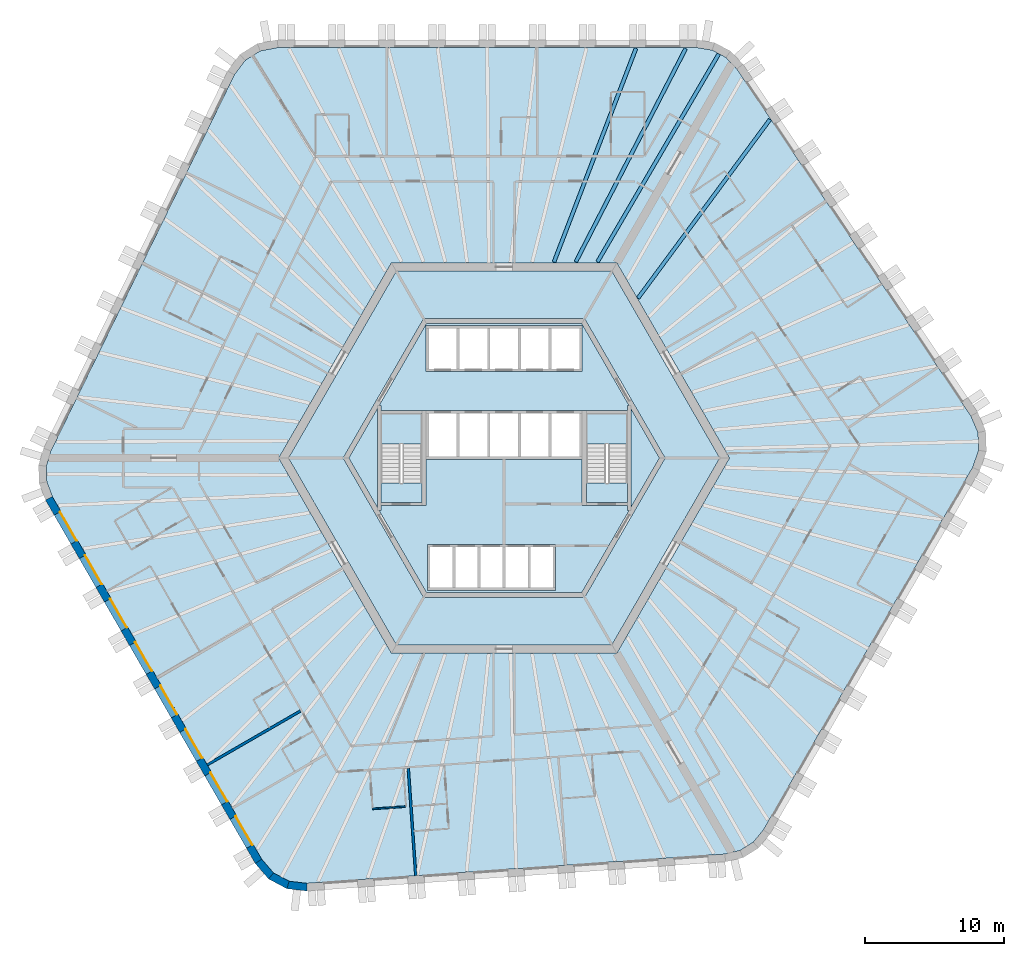
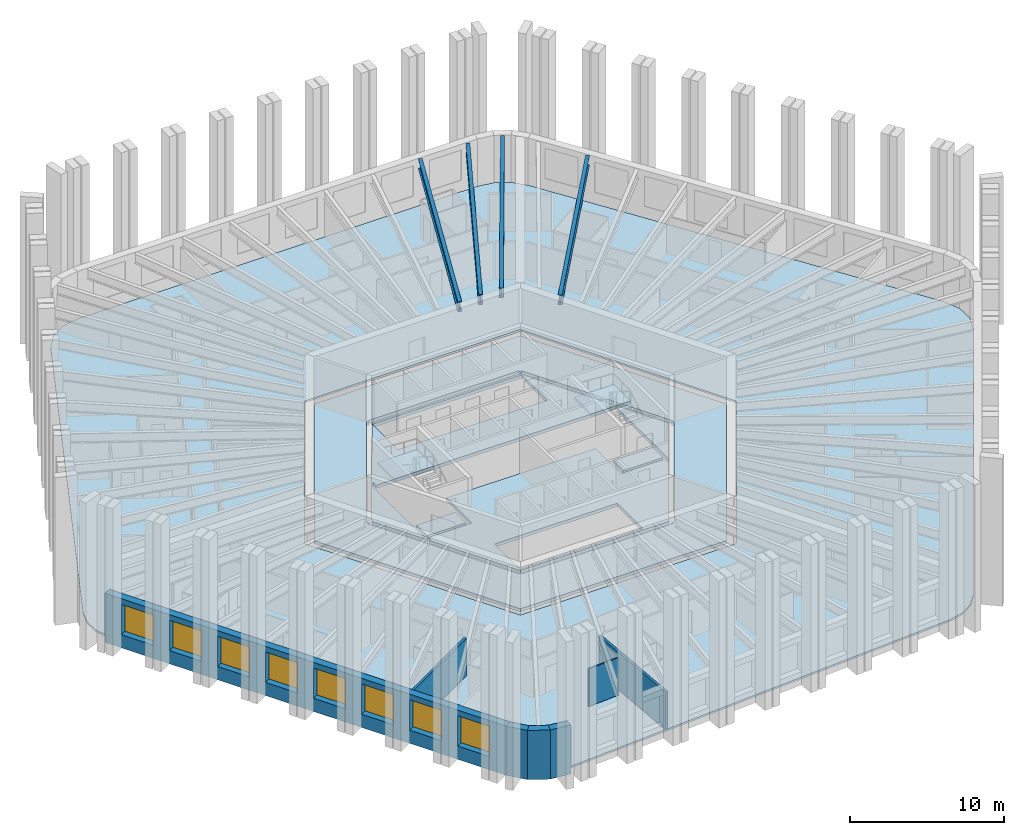
# One storey, part 2 of 13: 10 slabs, 8 windows, 7 walls, 4 beams, 8 openings, 2 elements without a shape of their own.
"""IFC4 building model written with IfcOpenShell, lengths in metres."""

from ifc_helpers import new_model, si_unit, direction, frame, frame_2d, origin, origin_2d, place, context, subcontext, project, spatial, polyline, rectangle, i_section, outline, extrude, material, layer, layer_set, material_profile, profile_set, type_object, element, fill, aggregate, save


model = new_model("IFC4")

# Units and contexts
model_context = context("Model", 3, precision=1e-05, world=origin(), true_north=direction((0.0, 1.0)))
body_context = subcontext(model_context, "Body", "Model", "MODEL_VIEW")
ifc_project = project(units=[si_unit("LENGTHUNIT", "METRE"), si_unit("AREAUNIT", "SQUARE_METRE"), si_unit("VOLUMEUNIT", "CUBIC_METRE"), si_unit("PLANEANGLEUNIT", "RADIAN"), si_unit("MASSUNIT", "GRAM", prefix="KILO")], contexts=[model_context])

# Site, building, storey
site_placement = place(None, origin())
site = spatial("IfcSite", under=ifc_project, at=site_placement, CompositionType="ELEMENT")
building_placement = place(site_placement, origin())
building = spatial("IfcBuilding", under=site, at=building_placement, Name="Tarnside Tower", CompositionType="ELEMENT")
storey_placement = place(building_placement, frame((0.0, 0.0, 80.39990234375)))
storey = spatial("IfcBuildingStorey", under=building, at=storey_placement, Name="L17", CompositionType="ELEMENT", Elevation=80.39990234375)

# Beams
ifc_material_1 = material(Name="Steel S355", Category="steel")
ifc_material_profile = material_profile(ifc_material_1, i_section(OverallWidth=0.2666015625, OverallDepth=0.76220703125, WebThickness=0.014404296875, FlangeThickness=0.021484375, FilletRadius=0.0166015625, at=origin_2d()), Name="UB 762x267x173")
ifc_profile_set = profile_set([ifc_material_profile], Name="Steel S355")
beam_type = type_object("IfcBeamType", Name="Floor beam UB 762x267x173", PredefinedType="BEAM", material=ifc_profile_set)
beam_1_placement = place(storey_placement, frame((13.0283203125, 29.37890625, 3.368896484375), z_axis=(-0.457973226459, -0.888965985765, 0.0), x_axis=(0.888965985765, -0.457973226459, 0.0)))
element("IfcBeam", 1, at=beam_1_placement, inside=storey, type_object=beam_type, Name="Floor beam F1.01", PredefinedType="BEAM", context=body_context, shape_type="SweptSolid", body=[
    extrude(i_section(OverallWidth=0.2666015625, OverallDepth=0.76220703125, WebThickness=0.014404296875, FlangeThickness=0.021484375, FilletRadius=0.0166015625, at=origin_2d()), origin(), (0.0, 0.0, 1.0), 17.219970703125),
])
beam_2_placement = place(storey_placement, frame((9.4619140625, 29.39404296875, 3.368896484375), z_axis=(-0.358299847269, -0.933606565662, 0.0), x_axis=(0.933606565662, -0.358299847269, 0.0)))
element("IfcBeam", 2, at=beam_2_placement, inside=storey, type_object=beam_type, Name="Floor beam F1.02", PredefinedType="BEAM", context=body_context, shape_type="SweptSolid", body=[
    extrude(i_section(OverallWidth=0.2666015625, OverallDepth=0.76220703125, WebThickness=0.014404296875, FlangeThickness=0.021484375, FilletRadius=0.0166015625, at=origin_2d()), origin(), (0.0, 0.0, 1.0), 16.428955078125),
])
beam_3_placement = place(storey_placement, frame((19.072021484375, 24.28857421875, 3.368896484375), z_axis=(-0.593986893499, -0.804474717037, 0.0), x_axis=(0.804474717037, -0.593986893499, 0.0)))
element("IfcBeam", 3, at=beam_3_placement, inside=storey, type_object=beam_type, Name="Floor beam F6.08", PredefinedType="BEAM", context=body_context, shape_type="SweptSolid", body=[
    extrude(i_section(OverallWidth=0.2666015625, OverallDepth=0.76220703125, WebThickness=0.014404296875, FlangeThickness=0.021484375, FilletRadius=0.0166015625, at=origin_2d()), origin(), (0.0, 0.0, 1.0), 15.934326171875),
])
beam_4_placement = place(storey_placement, frame((15.4013671875, 28.990478515625, 3.368896484375), z_axis=(-0.503858723096, -0.863786077198, 0.0), x_axis=(0.863786077198, -0.503858723096, 0.0)))
element("IfcBeam", 4, at=beam_4_placement, inside=storey, type_object=beam_type, Name="Floor beam C6", PredefinedType="BEAM", context=body_context, shape_type="SweptSolid", body=[
    extrude(i_section(OverallWidth=0.2666015625, OverallDepth=0.76220703125, WebThickness=0.014404296875, FlangeThickness=0.021484375, FilletRadius=0.0166015625, at=origin_2d()), origin(), (0.0, 0.0, 1.0), 17.2744140625),
])

# Slabs
ifc_material_2 = material(Name="Concrete C35/45", Category="concrete")
ifc_layer_1 = layer(ifc_material_2, 0.14990234375)
ifc_layer_set_1 = layer_set([ifc_layer_1], Name="Composite floor slab 150")
slab_type_1 = type_object("IfcSlabType", Name="Composite floor slab 150", PredefinedType="FLOOR", material=ifc_layer_set_1)
slab_1_placement = place(storey_placement, frame((0.0, 0.0, -0.14990234375)))
element("IfcSlab", 5, at=slab_1_placement, inside=storey, type_object=slab_type_1, Name="Floor slab L17", PredefinedType="FLOOR", context=body_context, shape_type="SweptSolid", body=[
    extrude(outline(polyline([(14.927490234375, 29.264892578125), (15.91455078125, 28.740234375), (16.697265625, 27.91064453125), (33.48583984375, 3.0205078125), (34.001220703125, 1.825439453125), (34.0458984375, 0.55078125), (33.614990234375, -0.67724609375), (18.603515625, -26.677978515625), (17.880615234375, -27.56005859375), (16.9326171875, -28.15234375), (15.82275390625, -28.41552734375), (-14.127197265625, -30.509765625), (-15.419921875, -30.358642578125), (-16.5458984375, -29.760009765625), (-17.39404296875, -28.772705078125), (-32.405517578125, -2.772216796875), (-32.80810546875, -1.704833984375), (-32.846923828125, -0.587890625), (-32.52001953125, 0.5048828125), (-19.358642578125, 27.4892578125), (-18.58154296875, 28.533203125), (-17.5, 29.208984375), (-16.220947265625, 29.449951171875), (13.802001953125, 29.449951171875), (14.927490234375, 29.264892578125)]), holes=[polyline([(-16.165771484375, 0.0), (-8.0830078125, -14.0), (8.0830078125, -14.0), (16.165771484375, 0.0), (8.0830078125, 14.0), (-8.0830078125, 14.0), (-16.165771484375, 0.0)])]), origin(), (0.0, 0.0, 1.0), 0.14990234375),
])
ifc_material_3 = material(Name="Concrete C40/50", Category="concrete")
ifc_layer_2 = layer(ifc_material_3, 0.25)
ifc_layer_set_2 = layer_set([ifc_layer_2], Name="Core slab C40/50")
slab_type_2 = type_object("IfcSlabType", Name="Core slab C40/50", PredefinedType="FLOOR", material=ifc_layer_set_2)
slab_2_placement = place(storey_placement, frame((0.0, 0.0, -0.25)))
element("IfcSlab", 6, at=slab_2_placement, inside=storey, type_object=slab_type_2, Name="L17 core floor slab 1", PredefinedType="FLOOR", context=body_context, shape_type="SweptSolid", body=[
    extrude(outline(polyline([(-15.472900390625, 0.0), (-7.736572265625, 13.39990234375), (7.736572265625, 13.39990234375), (15.472900390625, 0.0), (7.736572265625, -13.39990234375), (-7.736572265625, -13.39990234375), (-15.472900390625, 0.0)]), holes=[polyline([(5.823974609375, -9.91259765625), (11.49658203125, -0.08740234375), (11.344970703125, 0.0), (11.49658203125, 0.08740234375), (5.823974609375, 9.91259765625), (5.672607421875, 9.824951171875), (5.672607421875, 10.0), (-5.672607421875, 10.0), (-5.672607421875, 9.824951171875), (-5.823974609375, 9.91259765625), (-11.49658203125, 0.08740234375), (-11.344970703125, 0.0), (-11.49658203125, -0.08740234375), (-5.823974609375, -9.91259765625), (-5.672607421875, -9.824951171875), (-5.672607421875, -10.0), (5.672607421875, -10.0), (5.672607421875, -9.824951171875), (5.823974609375, -9.91259765625)])]), origin(), (0.0, 0.0, 1.0), 0.25),
])
slab_3_placement = place(storey_placement, frame((0.0, 0.0, -0.25)))
element("IfcSlab", 7, at=slab_3_placement, inside=storey, type_object=slab_type_2, Name="L17 core floor slab 2", PredefinedType="FLOOR", context=body_context, shape_type="SweptSolid", body=[
    extrude(outline(polyline([(-8.97509765625, 3.7548828125), (-5.5712890625, 9.64990234375), (5.5712890625, 9.64990234375), (8.97509765625, 3.7548828125), (8.85009765625, 3.7548828125), (8.85009765625, 3.39990234375), (5.89990234375, 3.39990234375), (5.60009765625, 3.39990234375), (5.60009765625, 3.39990234375), (-5.60009765625, 3.39990234375), (-5.89990234375, 3.39990234375), (-8.85009765625, 3.39990234375), (-8.85009765625, 3.7548828125), (-8.97509765625, 3.7548828125)]), holes=[polyline([(-5.60009765625, 6.199951171875), (5.60009765625, 6.199951171875), (5.60009765625, 6.39990234375), (5.60009765625, 9.300048828125), (5.60009765625, 9.5), (-5.60009765625, 9.5), (-5.60009765625, 9.300048828125), (-5.60009765625, 6.39990234375), (-5.60009765625, 6.199951171875)])]), origin(), (0.0, 0.0, 1.0), 0.25),
])
slab_4_placement = place(storey_placement, frame((0.0, 0.0, -0.25)))
element("IfcSlab", 8, at=slab_4_placement, inside=storey, type_object=slab_type_2, Name="L17 core floor slab 3", PredefinedType="FLOOR", context=body_context, shape_type="SweptSolid", body=[
    extrude(outline(polyline([(5.60009765625, -3.39990234375), (5.89990234375, -3.39990234375), (8.85009765625, -3.39990234375), (8.85009765625, -3.7548828125), (8.97509765625, -3.7548828125), (5.5712890625, -9.64990234375), (-5.5712890625, -9.64990234375), (-8.97509765625, -3.7548828125), (-8.85009765625, -3.7548828125), (-8.85009765625, -3.39990234375), (-5.89990234375, -3.39990234375), (-5.60009765625, -3.39990234375), (-5.60009765625, -0.10009765625), (5.60009765625, -0.10009765625), (5.60009765625, -3.39990234375)]), holes=[polyline([(-5.5, -9.300048828125), (-5.5, -9.5), (3.699951171875, -9.5), (3.699951171875, -9.300048828125), (3.699951171875, -6.39990234375), (3.699951171875, -6.199951171875), (-5.5, -6.199951171875), (-5.5, -6.39990234375), (-5.5, -9.300048828125)])]), origin(), (0.0, 0.0, 1.0), 0.25),
])
slab_5_placement = place(storey_placement, frame((0.0, 0.0, -0.25)))
element("IfcSlab", 9, at=slab_5_placement, inside=storey, type_object=slab_type_2, Name="L17 core floor slab 4", PredefinedType="FLOOR", context=body_context, shape_type="SweptSolid", body=[
    extrude(outline(polyline([(-11.142822265625, 0.0), (-9.10009765625, 3.538330078125), (-9.10009765625, -3.538330078125), (-11.142822265625, 0.0)])), origin(), (0.0, 0.0, 1.0), 0.25),
])
slab_6_placement = place(storey_placement, frame((0.0, 0.0, -0.25)))
element("IfcSlab", 10, at=slab_6_placement, inside=storey, type_object=slab_type_2, Name="L17 core floor slab 5", PredefinedType="FLOOR", context=body_context, shape_type="SweptSolid", body=[
    extrude(outline(polyline([(-8.85009765625, -1.800048828125), (-5.89990234375, -1.800048828125), (-5.89990234375, -3.199951171875), (-8.85009765625, -3.199951171875), (-8.85009765625, -1.800048828125)])), origin(), (0.0, 0.0, 1.0), 0.25),
])
slab_7_placement = place(storey_placement, frame((0.0, 0.0, -0.25)))
element("IfcSlab", 11, at=slab_7_placement, inside=storey, type_object=slab_type_2, Name="L17 core floor slab 6", PredefinedType="FLOOR", context=body_context, shape_type="SweptSolid", body=[
    extrude(outline(polyline([(5.89990234375, -3.199951171875), (5.89990234375, -1.800048828125), (8.85009765625, -1.800048828125), (8.85009765625, -3.199951171875), (5.89990234375, -3.199951171875)])), origin(), (0.0, 0.0, 1.0), 0.25),
])
slab_8_placement = place(storey_placement, frame((0.0, 0.0, -0.25)))
element("IfcSlab", 12, at=slab_8_placement, inside=storey, type_object=slab_type_2, Name="L17 core floor slab 7", PredefinedType="FLOOR", context=body_context, shape_type="SweptSolid", body=[
    extrude(outline(polyline([(9.10009765625, -3.538330078125), (9.10009765625, 3.538330078125), (11.142822265625, 0.0), (9.10009765625, -3.538330078125)])), origin(), (0.0, 0.0, 1.0), 0.25),
])

# Stair, slab
stair_type = type_object("IfcStairType", Name="Exit stair 1400 clear", PredefinedType="HALF_TURN_STAIR", material=ifc_material_3)
stair_1_placement = place(storey_placement, origin())
stair_1 = element("IfcStair", 13, at=stair_1_placement, inside=storey, type_object=stair_type, Name="L17 Exit stair 1", PredefinedType="HALF_TURN_STAIR")
ifc_layer_3 = layer(ifc_material_3, 0.199951171875)
ifc_layer_set_3 = layer_set([ifc_layer_3], Name="Stair landing 200 C40/50")
slab_type_3 = type_object("IfcSlabType", Name="Stair landing 200 C40/50", PredefinedType="LANDING", material=ifc_layer_set_3)
slab_9_placement = place(storey_placement, frame((0.0, 0.0, 1.75)))
slab_9 = element("IfcSlab", 14, at=slab_9_placement, type_object=slab_type_3, Name="ST1 landing 1", PredefinedType="LANDING", context=body_context, shape_type="SweptSolid", body=[
    extrude(outline(polyline([(8.85009765625, 1.0), (8.85009765625, 3.199951171875), (5.89990234375, 3.199951171875), (5.89990234375, 1.0), (8.85009765625, 1.0)])), origin(), (0.0, 0.0, 1.0), 0.2001953125),
])
aggregate(stair_1, [slab_9])

stair_2_placement = place(storey_placement, origin())
stair_2 = element("IfcStair", 15, at=stair_2_placement, inside=storey, type_object=stair_type, Name="L17 Exit stair 2", PredefinedType="HALF_TURN_STAIR")
slab_10_placement = place(storey_placement, frame((0.0, 0.0, 1.75)))
slab_10 = element("IfcSlab", 16, at=slab_10_placement, type_object=slab_type_3, Name="ST2 landing 1", PredefinedType="LANDING", context=body_context, shape_type="SweptSolid", body=[
    extrude(outline(polyline([(-5.89990234375, 1.0), (-5.89990234375, 3.199951171875), (-8.85009765625, 3.199951171875), (-8.85009765625, 1.0), (-5.89990234375, 1.0)])), origin(), (0.0, 0.0, 1.0), 0.2001953125),
])
aggregate(stair_2, [slab_10])

# Walls
ifc_material_4 = material(Name="Gypsum board partition on steel studs", Category="steel")
ifc_layer_4 = layer(ifc_material_4, 0.10009765625)
ifc_layer_set_4 = layer_set([ifc_layer_4], Name="Bathroom wall 100")
wall_type_1 = type_object("IfcWallType", Name="Bathroom wall 100", PredefinedType="PARTITIONING", material=ifc_layer_set_4)
wall_1_placement = place(storey_placement, frame((-7.083984375, -25.005126953125, 0.0), z_axis=(0.0, 0.0, 1.0), x_axis=(-0.997567715103, -0.06970404424, 0.0)))
element("IfcWall", 17, at=wall_1_placement, inside=storey, type_object=wall_type_1, Name="Bathroom wall 05124", PredefinedType="PARTITIONING", context=body_context, shape_type="SweptSolid", body=[
    extrude(rectangle(XDim=2.35009765625, YDim=0.10009765625, at=frame_2d((1.175048828125, 0.0))), origin(), (0.0, 0.0, 1.0), 2.98779296875),
])
ifc_layer_5 = layer(ifc_material_4, 0.179931640625)
ifc_layer_set_5 = layer_set([ifc_layer_5], Name="Demising wall 180 EI 60")
wall_type_2 = type_object("IfcWallType", Name="Demising wall 180 EI 60", PredefinedType="PARTITIONING", material=ifc_layer_set_5)
wall_2_placement = place(storey_placement, frame((-21.298828125, -22.00927734375, 0.0), z_axis=(0.0, 0.0, 1.0), x_axis=(0.866019273868, 0.500010617176, 0.0)))
element("IfcWall", 18, at=wall_2_placement, inside=storey, type_object=wall_type_2, Name="Demising wall 05117", PredefinedType="PARTITIONING", context=body_context, shape_type="SweptSolid", body=[
    extrude(rectangle(XDim=7.724853515625, YDim=0.179931640625, at=frame_2d((3.8623046875, 0.0))), origin(), (0.0, 0.0, 1.0), 2.98779296875),
])
wall_3_placement = place(storey_placement, frame((-6.336181640625, -29.965087890625, 0.0), z_axis=(0.0, 0.0, 1.0), x_axis=(-0.069780381152, 0.997562378203, 0.0)))
element("IfcWall", 19, at=wall_3_placement, inside=storey, type_object=wall_type_2, Name="Demising wall 05126", PredefinedType="PARTITIONING", context=body_context, shape_type="SweptSolid", body=[
    extrude(rectangle(XDim=7.72509765625, YDim=0.179931640625, at=frame_2d((3.862548828125, 0.0))), origin(), (0.0, 0.0, 1.0), 2.98779296875),
])

# Wall, openings, windows
ifc_material_5 = material(Name="Facing brick", Category="masonry")
ifc_layer_6 = layer(ifc_material_5, 0.10205078125)
ifc_material_6 = material(Name="Concrete C60/75 precast", Category="concrete")
ifc_layer_7 = layer(ifc_material_6, 0.347900390625)
ifc_material_7 = material(Name="Mineral wool insulation")
ifc_layer_8 = layer(ifc_material_7, 0.10009765625)
ifc_layer_set_6 = layer_set([ifc_layer_6, ifc_layer_7, ifc_layer_8], Name="Tube wall 550 brick faced")
wall_type_3 = type_object("IfcWallType", Name="Tube wall 550 brick faced", PredefinedType="SOLIDWALL", material=ifc_layer_set_6)
wall_4_placement = place(storey_placement, frame((-32.65478515625, -2.89013671875, -0.14990234375), z_axis=(0.0, 0.0, 1.0), x_axis=(0.499997711317, -0.866026725152, 0.0)))
wall_4 = element("IfcWall", 20, at=wall_4_placement, inside=storey, type_object=wall_type_3, Name="Tube wall L17 F3 flush 08", PredefinedType="SOLIDWALL", context=body_context, shape_type="SweptSolid", body=[
    extrude(outline(polyline([(-0.0224609375, -0.27490234375), (30.0966796875, -0.27490234375), (30.04541015625, 0.27490234375), (0.0224609375, 0.27490234375), (-0.0224609375, -0.27490234375)])), origin(), (0.0, 0.0, 1.0), 3.89990234375),
])
opening_1_placement = place(wall_4_placement, frame((1.235595703125, 0.0, 1.050048828125)))
opening_1 = element("IfcOpeningElement", 21, at=opening_1_placement, cuts=wall_4, Name="Opening WH", PredefinedType="OPENING", context=body_context, shape_type="SweptSolid", body=[
    extrude(rectangle(XDim=2.39990234375, YDim=2.39990234375, at=frame_2d((1.199951171875, 1.199951171875))), frame((0.0, 0.28515625, 0.0), z_axis=(0.0, -1.0, 0.0), x_axis=(1.0, 0.0, 0.0)), (0.0, 0.0, 1.0), 0.570068359375),
])
opening_2_placement = place(wall_4_placement, frame((4.83544921875, 0.0, 1.050048828125)))
opening_2 = element("IfcOpeningElement", 22, at=opening_2_placement, cuts=wall_4, Name="Opening WH", PredefinedType="OPENING", context=body_context, shape_type="SweptSolid", body=[
    extrude(rectangle(XDim=2.39990234375, YDim=2.39990234375, at=frame_2d((1.199951171875, 1.199951171875))), frame((0.0, 0.28515625, 0.0), z_axis=(0.0, -1.0, 0.0), x_axis=(1.0, 0.0, 0.0)), (0.0, 0.0, 1.0), 0.570068359375),
])
opening_3_placement = place(wall_4_placement, frame((8.435546875, 0.0, 1.050048828125)))
opening_3 = element("IfcOpeningElement", 23, at=opening_3_placement, cuts=wall_4, Name="Opening WH", PredefinedType="OPENING", context=body_context, shape_type="SweptSolid", body=[
    extrude(rectangle(XDim=2.39990234375, YDim=2.39990234375, at=frame_2d((1.199951171875, 1.199951171875))), frame((0.0, 0.28515625, 0.0), z_axis=(0.0, -1.0, 0.0), x_axis=(1.0, 0.0, 0.0)), (0.0, 0.0, 1.0), 0.570068359375),
])
opening_4_placement = place(wall_4_placement, frame((12.035400390625, 0.0, 1.050048828125)))
opening_4 = element("IfcOpeningElement", 24, at=opening_4_placement, cuts=wall_4, Name="Opening WH", PredefinedType="OPENING", context=body_context, shape_type="SweptSolid", body=[
    extrude(rectangle(XDim=2.39990234375, YDim=2.39990234375, at=frame_2d((1.199951171875, 1.199951171875))), frame((0.0, 0.28515625, 0.0), z_axis=(0.0, -1.0, 0.0), x_axis=(1.0, 0.0, 0.0)), (0.0, 0.0, 1.0), 0.570068359375),
])
opening_5_placement = place(wall_4_placement, frame((15.635498046875, 0.0, 1.050048828125)))
opening_5 = element("IfcOpeningElement", 25, at=opening_5_placement, cuts=wall_4, Name="Opening WH", PredefinedType="OPENING", context=body_context, shape_type="SweptSolid", body=[
    extrude(rectangle(XDim=2.39990234375, YDim=2.39990234375, at=frame_2d((1.199951171875, 1.199951171875))), frame((0.0, 0.28515625, 0.0), z_axis=(0.0, -1.0, 0.0), x_axis=(1.0, 0.0, 0.0)), (0.0, 0.0, 1.0), 0.570068359375),
])
opening_6_placement = place(wall_4_placement, frame((19.235595703125, 0.0, 1.050048828125)))
opening_6 = element("IfcOpeningElement", 26, at=opening_6_placement, cuts=wall_4, Name="Opening WH", PredefinedType="OPENING", context=body_context, shape_type="SweptSolid", body=[
    extrude(rectangle(XDim=2.39990234375, YDim=2.39990234375, at=frame_2d((1.199951171875, 1.199951171875))), frame((0.0, 0.28515625, 0.0), z_axis=(0.0, -1.0, 0.0), x_axis=(1.0, 0.0, 0.0)), (0.0, 0.0, 1.0), 0.570068359375),
])
opening_7_placement = place(wall_4_placement, frame((22.83544921875, 0.0, 1.050048828125)))
opening_7 = element("IfcOpeningElement", 27, at=opening_7_placement, cuts=wall_4, Name="Opening WH", PredefinedType="OPENING", context=body_context, shape_type="SweptSolid", body=[
    extrude(rectangle(XDim=2.39990234375, YDim=2.39990234375, at=frame_2d((1.199951171875, 1.199951171875))), frame((0.0, 0.28515625, 0.0), z_axis=(0.0, -1.0, 0.0), x_axis=(1.0, 0.0, 0.0)), (0.0, 0.0, 1.0), 0.570068359375),
])
opening_8_placement = place(wall_4_placement, frame((26.435546875, 0.0, 1.050048828125)))
opening_8 = element("IfcOpeningElement", 28, at=opening_8_placement, cuts=wall_4, Name="Opening WH", PredefinedType="OPENING", context=body_context, shape_type="SweptSolid", body=[
    extrude(rectangle(XDim=2.39990234375, YDim=2.39990234375, at=frame_2d((1.199951171875, 1.199951171875))), frame((0.0, 0.28515625, 0.0), z_axis=(0.0, -1.0, 0.0), x_axis=(1.0, 0.0, 0.0)), (0.0, 0.0, 1.0), 0.570068359375),
])
ifc_material_8 = material(Name="Aluminium-framed double glazing", Category="aluminium")
window_type = type_object("IfcWindowType", Name="Hotel window 2400 x 2400", PartitioningType="DOUBLE_PANEL_VERTICAL", PredefinedType="WINDOW", material=ifc_material_8)
window_1_placement = place(opening_1_placement, frame((0.0, 0.205078125, 0.0)))
window_1 = element("IfcWindow", 29, at=window_1_placement, inside=storey, type_object=window_type, Name="E.WN.L17.F3.00", OverallHeight=2.39990234375, OverallWidth=2.39990234375, PartitioningType="DOUBLE_PANEL_VERTICAL", PredefinedType="WINDOW", context=body_context, shape_type="SweptSolid", body=[
    extrude(rectangle(XDim=2.39990234375, YDim=2.39990234375, at=frame_2d((1.199951171875, 1.199951171875))), frame((0.0, 0.030029296875, 0.0), z_axis=(0.0, -1.0, 0.0), x_axis=(1.0, 0.0, 0.0)), (0.0, 0.0, 1.0), 0.06005859375),
])
fill(opening_1, window_1)
window_2_placement = place(opening_2_placement, frame((0.0, 0.205078125, 0.0)))
window_2 = element("IfcWindow", 30, at=window_2_placement, inside=storey, type_object=window_type, Name="E.WN.L17.F3.01", OverallHeight=2.39990234375, OverallWidth=2.39990234375, PartitioningType="DOUBLE_PANEL_VERTICAL", PredefinedType="WINDOW", context=body_context, shape_type="SweptSolid", body=[
    extrude(rectangle(XDim=2.39990234375, YDim=2.39990234375, at=frame_2d((1.199951171875, 1.199951171875))), frame((0.0, 0.030029296875, 0.0), z_axis=(0.0, -1.0, 0.0), x_axis=(1.0, 0.0, 0.0)), (0.0, 0.0, 1.0), 0.06005859375),
])
fill(opening_2, window_2)
window_3_placement = place(opening_3_placement, frame((0.0, 0.205078125, 0.0)))
window_3 = element("IfcWindow", 31, at=window_3_placement, inside=storey, type_object=window_type, Name="E.WN.L17.F3.02", OverallHeight=2.39990234375, OverallWidth=2.39990234375, PartitioningType="DOUBLE_PANEL_VERTICAL", PredefinedType="WINDOW", context=body_context, shape_type="SweptSolid", body=[
    extrude(rectangle(XDim=2.39990234375, YDim=2.39990234375, at=frame_2d((1.199951171875, 1.199951171875))), frame((0.0, 0.030029296875, 0.0), z_axis=(0.0, -1.0, 0.0), x_axis=(1.0, 0.0, 0.0)), (0.0, 0.0, 1.0), 0.06005859375),
])
fill(opening_3, window_3)
window_4_placement = place(opening_4_placement, frame((0.0, 0.205078125, 0.0)))
window_4 = element("IfcWindow", 32, at=window_4_placement, inside=storey, type_object=window_type, Name="E.WN.L17.F3.03", OverallHeight=2.39990234375, OverallWidth=2.39990234375, PartitioningType="DOUBLE_PANEL_VERTICAL", PredefinedType="WINDOW", context=body_context, shape_type="SweptSolid", body=[
    extrude(rectangle(XDim=2.39990234375, YDim=2.39990234375, at=frame_2d((1.199951171875, 1.199951171875))), frame((0.0, 0.030029296875, 0.0), z_axis=(0.0, -1.0, 0.0), x_axis=(1.0, 0.0, 0.0)), (0.0, 0.0, 1.0), 0.06005859375),
])
fill(opening_4, window_4)
window_5_placement = place(opening_5_placement, frame((0.0, 0.205078125, 0.0)))
window_5 = element("IfcWindow", 33, at=window_5_placement, inside=storey, type_object=window_type, Name="E.WN.L17.F3.04", OverallHeight=2.39990234375, OverallWidth=2.39990234375, PartitioningType="DOUBLE_PANEL_VERTICAL", PredefinedType="WINDOW", context=body_context, shape_type="SweptSolid", body=[
    extrude(rectangle(XDim=2.39990234375, YDim=2.39990234375, at=frame_2d((1.199951171875, 1.199951171875))), frame((0.0, 0.030029296875, 0.0), z_axis=(0.0, -1.0, 0.0), x_axis=(1.0, 0.0, 0.0)), (0.0, 0.0, 1.0), 0.06005859375),
])
fill(opening_5, window_5)
window_6_placement = place(opening_6_placement, frame((0.0, 0.205078125, 0.0)))
window_6 = element("IfcWindow", 34, at=window_6_placement, inside=storey, type_object=window_type, Name="E.WN.L17.F3.05", OverallHeight=2.39990234375, OverallWidth=2.39990234375, PartitioningType="DOUBLE_PANEL_VERTICAL", PredefinedType="WINDOW", context=body_context, shape_type="SweptSolid", body=[
    extrude(rectangle(XDim=2.39990234375, YDim=2.39990234375, at=frame_2d((1.199951171875, 1.199951171875))), frame((0.0, 0.030029296875, 0.0), z_axis=(0.0, -1.0, 0.0), x_axis=(1.0, 0.0, 0.0)), (0.0, 0.0, 1.0), 0.06005859375),
])
fill(opening_6, window_6)
window_7_placement = place(opening_7_placement, frame((0.0, 0.205078125, 0.0)))
window_7 = element("IfcWindow", 35, at=window_7_placement, inside=storey, type_object=window_type, Name="E.WN.L17.F3.06", OverallHeight=2.39990234375, OverallWidth=2.39990234375, PartitioningType="DOUBLE_PANEL_VERTICAL", PredefinedType="WINDOW", context=body_context, shape_type="SweptSolid", body=[
    extrude(rectangle(XDim=2.39990234375, YDim=2.39990234375, at=frame_2d((1.199951171875, 1.199951171875))), frame((0.0, 0.030029296875, 0.0), z_axis=(0.0, -1.0, 0.0), x_axis=(1.0, 0.0, 0.0)), (0.0, 0.0, 1.0), 0.06005859375),
])
fill(opening_7, window_7)
window_8_placement = place(opening_8_placement, frame((0.0, 0.205078125, 0.0)))
window_8 = element("IfcWindow", 36, at=window_8_placement, inside=storey, type_object=window_type, Name="E.WN.L17.F3.07", OverallHeight=2.39990234375, OverallWidth=2.39990234375, PartitioningType="DOUBLE_PANEL_VERTICAL", PredefinedType="WINDOW", context=body_context, shape_type="SweptSolid", body=[
    extrude(rectangle(XDim=2.39990234375, YDim=2.39990234375, at=frame_2d((1.199951171875, 1.199951171875))), frame((0.0, 0.030029296875, 0.0), z_axis=(0.0, -1.0, 0.0), x_axis=(1.0, 0.0, 0.0)), (0.0, 0.0, 1.0), 0.06005859375),
])
fill(opening_8, window_8)

# Walls
wall_5_placement = place(storey_placement, frame((-17.619384765625, -28.932373046875, -0.14990234375), z_axis=(0.0, 0.0, 1.0), x_axis=(0.651621950847, -0.758543890078, 0.0)))
element("IfcWall", 37, at=wall_5_placement, inside=storey, type_object=wall_type_3, Name="Tube wall L17 F3 chord 09", PredefinedType="SOLIDWALL", context=body_context, shape_type="SweptSolid", body=[
    extrude(outline(polyline([(-0.025634765625, -0.27490234375), (1.430908203125, -0.27490234375), (1.327392578125, 0.27490234375), (0.025634765625, 0.27490234375), (-0.025634765625, -0.27490234375)])), origin(), (0.0, 0.0, 1.0), 3.89990234375),
])
wall_6_placement = place(storey_placement, frame((-16.720703125, -29.978515625, -0.14990234375), z_axis=(0.0, 0.0, 1.0), x_axis=(0.882994189209, -0.469383917304, 0.0)))
element("IfcWall", 38, at=wall_6_placement, inside=storey, type_object=wall_type_3, Name="Tube wall L17 F3 chord 10", PredefinedType="SOLIDWALL", context=body_context, shape_type="SweptSolid", body=[
    extrude(outline(polyline([(-0.0517578125, -0.27490234375), (1.4306640625, -0.27490234375), (1.3271484375, 0.27490234375), (0.0517578125, 0.27490234375), (-0.0517578125, -0.27490234375)])), origin(), (0.0, 0.0, 1.0), 3.89990234375),
])
wall_7_placement = place(storey_placement, frame((-15.503173828125, -30.625732421875, -0.14990234375), z_axis=(0.0, 0.0, 1.0), x_axis=(0.993232537394, -0.11614269956, 0.0)))
element("IfcWall", 39, at=wall_7_placement, inside=storey, type_object=wall_type_3, Name="Tube wall L17 F3 chord 11", PredefinedType="SOLIDWALL", context=body_context, shape_type="SweptSolid", body=[
    extrude(outline(polyline([(-0.0517578125, -0.27490234375), (1.404541015625, -0.27490234375), (1.353271484375, 0.27490234375), (0.0517578125, 0.27490234375), (-0.0517578125, -0.27490234375)])), origin(), (0.0, 0.0, 1.0), 3.89990234375),
])

save(model, "model.ifc")
